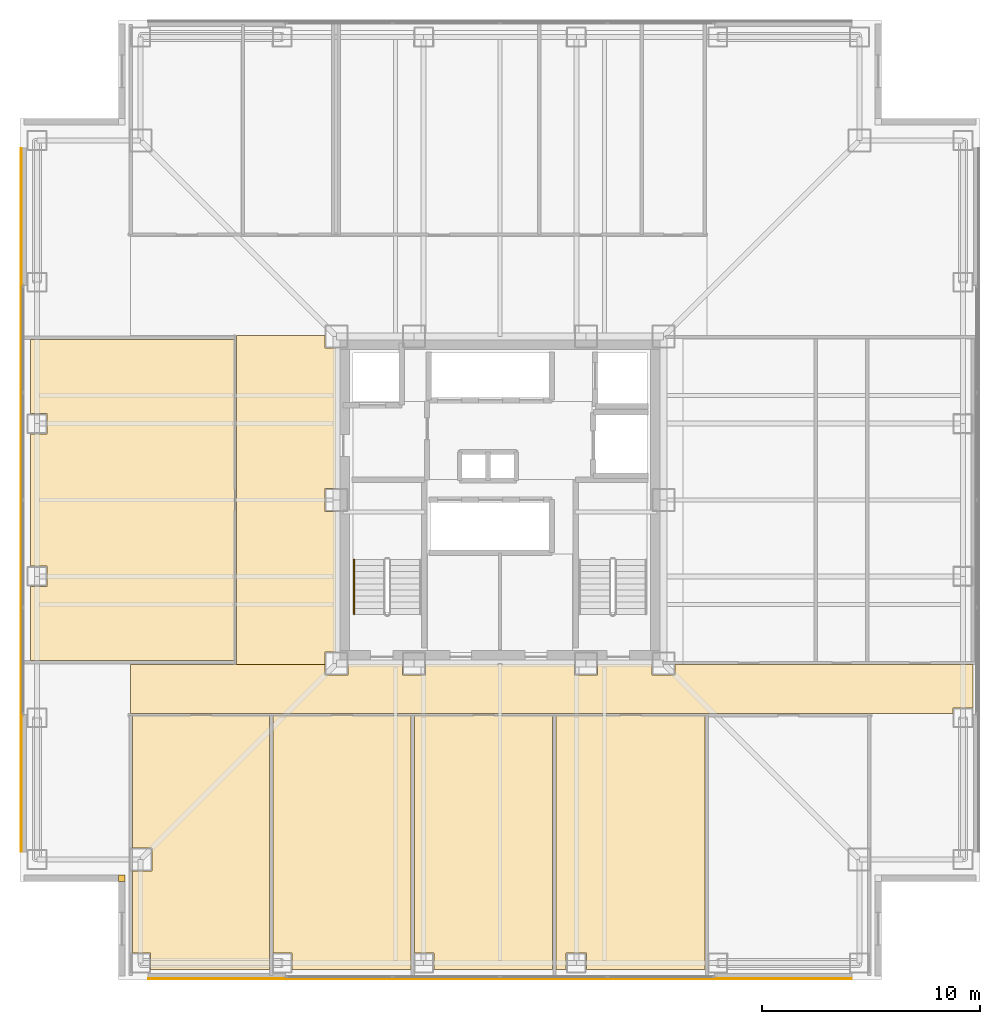
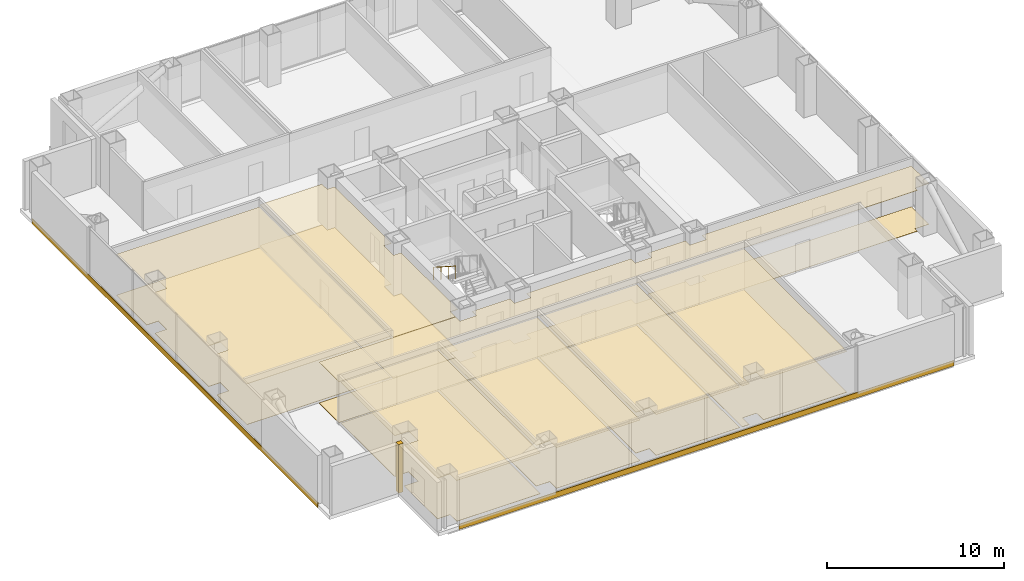
# One storey, part 11 of 13: 17 coverings, 1 railing.
"""IFC4 building model written with IfcOpenShell, lengths in metres."""

from ifc_helpers import new_model, si_unit, direction, frame, frame_2d, origin, origin_2d, place, context, subcontext, project, spatial, polyline, rectangle, circle, outline, extrude, material, layer, layer_set, type_object, element, save


model = new_model("IFC4")

# Units and contexts
model_context = context("Model", 3, precision=1e-05, world=origin(), true_north=direction((0.0, 1.0)))
body_context = subcontext(model_context, "Body", "Model", "MODEL_VIEW")
ifc_project = project(units=[si_unit("LENGTHUNIT", "METRE"), si_unit("AREAUNIT", "SQUARE_METRE"), si_unit("VOLUMEUNIT", "CUBIC_METRE"), si_unit("PLANEANGLEUNIT", "RADIAN"), si_unit("MASSUNIT", "GRAM", prefix="KILO")], contexts=[model_context])

# Site, building, storey
site_placement = place(None, origin())
site = spatial("IfcSite", under=ifc_project, at=site_placement, CompositionType="ELEMENT")
building_placement = place(site_placement, origin())
building = spatial("IfcBuilding", under=site, at=building_placement, Name="Trevonay Congress Spire", CompositionType="ELEMENT")
storey_placement = place(building_placement, frame((0.0, 0.0, 112.0)))
storey = spatial("IfcBuildingStorey", under=building, at=storey_placement, Name="L28", CompositionType="ELEMENT", Elevation=112.0)

# Coverings
ifc_material_1 = material(Name="Acoustic Mineral Fibre Board", Category="gypsum")
ifc_layer_1 = layer(ifc_material_1, 0.02490234375, Name="Acoustic Mineral Fibre Board")
ifc_layer_set_1 = layer_set([ifc_layer_1], Name="Acoustic Mineral Fibre Board")
covering_type_1 = type_object("IfcCoveringType", Name="COV-CEIL-ACOUSTIC", PredefinedType="CEILING", material=ifc_layer_set_1)
covering_1_placement = place(storey_placement, frame((0.0, 0.0, 2.81005859375)))
element("IfcCovering", 1, at=covering_1_placement, inside=storey, type_object=covering_type_1, Name="L28 Congress South Spine Corridor acoustic suspended ceiling", PredefinedType="CEILING", context=body_context, shape_type="SweptSolid", body=[
    extrude(outline(polyline([(-16.949951171875, -9.800048828125), (-16.949951171875, -7.550048828125), (-8.034912109375, -7.550048828125), (-8.034912109375, -8.034912109375), (-6.965087890625, -8.034912109375), (-6.965087890625, -7.550048828125), (-4.485107421875, -7.550048828125), (-4.485107421875, -8.034912109375), (-3.4150390625, -8.034912109375), (-3.4150390625, -7.550048828125), (3.4150390625, -7.550048828125), (3.4150390625, -8.034912109375), (4.485107421875, -8.034912109375), (4.485107421875, -7.550048828125), (6.965087890625, -7.550048828125), (6.965087890625, -8.034912109375), (8.034912109375, -8.034912109375), (8.034912109375, -7.550048828125), (21.699951171875, -7.550048828125), (21.699951171875, -9.5400390625), (20.7900390625, -9.5400390625), (20.7900390625, -9.800048828125), (-16.949951171875, -9.800048828125)])), origin(), (0.0, 0.0, 1.0), 0.02490234375),
])
covering_2_placement = place(storey_placement, frame((0.0, 0.0, 2.81005859375)))
element("IfcCovering", 2, at=covering_2_placement, inside=storey, type_object=covering_type_1, Name="L28 West Sky Promenade Salon acoustic suspended ceiling", PredefinedType="CEILING", context=body_context, shape_type="SweptSolid", body=[
    extrude(outline(polyline([(-12.10009765625, 7.550048828125), (-8.034912109375, 7.550048828125), (-8.034912109375, 6.965087890625), (-7.550048828125, 6.965087890625), (-7.550048828125, 0.534912109375), (-8.034912109375, 0.534912109375), (-8.034912109375, -0.534912109375), (-7.550048828125, -0.534912109375), (-7.550048828125, -6.965087890625), (-8.034912109375, -6.965087890625), (-8.034912109375, -7.5400390625), (-12.10009765625, -7.5400390625), (-12.10009765625, 7.550048828125)])), origin(), (0.0, 0.0, 1.0), 0.02490234375),
])
covering_3_placement = place(storey_placement, frame((0.0, 0.0, 2.81005859375)))
element("IfcCovering", 3, at=covering_3_placement, inside=storey, type_object=covering_type_1, Name="L28 Economic Secretariat Office 1 acoustic suspended ceiling", PredefinedType="CEILING", context=body_context, shape_type="SweptSolid", body=[
    extrude(outline(polyline([(-16.8701171875, -9.8798828125), (-10.580078125, -9.8798828125), (-10.580078125, -21.550048828125), (-16.0400390625, -21.550048828125), (-16.0400390625, -20.7900390625), (-16.8701171875, -20.7900390625), (-16.8701171875, -17.034912109375), (-15.965087890625, -17.034912109375), (-15.965087890625, -15.965087890625), (-16.8701171875, -15.965087890625), (-16.8701171875, -9.8798828125)])), origin(), (0.0, 0.0, 1.0), 0.02490234375),
])
covering_4_placement = place(storey_placement, frame((0.0, 0.0, 2.81005859375)))
element("IfcCovering", 4, at=covering_4_placement, inside=storey, type_object=covering_type_1, Name="L28 Economic Secretariat Office 2 acoustic suspended ceiling", PredefinedType="CEILING", context=body_context, shape_type="SweptSolid", body=[
    extrude(outline(polyline([(-10.419921875, -9.8798828125), (-4.080078125, -9.8798828125), (-4.080078125, -21.550048828125), (-9.5400390625, -21.550048828125), (-9.5400390625, -20.7900390625), (-10.419921875, -20.7900390625), (-10.419921875, -9.8798828125)])), origin(), (0.0, 0.0, 1.0), 0.02490234375),
])
covering_5_placement = place(storey_placement, frame((0.0, 0.0, 2.81005859375)))
element("IfcCovering", 5, at=covering_5_placement, inside=storey, type_object=covering_type_1, Name="L28 Legal Counsel Office 3 acoustic suspended ceiling", PredefinedType="CEILING", context=body_context, shape_type="SweptSolid", body=[
    extrude(outline(polyline([(-3.919921875, -9.8798828125), (2.419921875, -9.8798828125), (2.419921875, -21.550048828125), (-3.0400390625, -21.550048828125), (-3.0400390625, -20.7900390625), (-3.919921875, -20.7900390625), (-3.919921875, -9.8798828125)])), origin(), (0.0, 0.0, 1.0), 0.02490234375),
])
covering_6_placement = place(storey_placement, frame((0.0, 0.0, 2.81005859375)))
element("IfcCovering", 6, at=covering_6_placement, inside=storey, type_object=covering_type_1, Name="L28 Statistical Analysis Office 4 acoustic suspended ceiling", PredefinedType="CEILING", context=body_context, shape_type="SweptSolid", body=[
    extrude(outline(polyline([(2.580078125, -21.550048828125), (2.580078125, -9.8798828125), (9.419921875, -9.8798828125), (9.419921875, -21.550048828125), (3.9599609375, -21.550048828125), (3.9599609375, -20.7900390625), (3.0400390625, -20.7900390625), (3.0400390625, -21.550048828125), (2.580078125, -21.550048828125)])), origin(), (0.0, 0.0, 1.0), 0.02490234375),
])
covering_7_placement = place(storey_placement, frame((0.0, 0.0, 2.81005859375)))
element("IfcCovering", 7, at=covering_7_placement, inside=storey, type_object=covering_type_1, Name="L28 West Open-Plan Research Office acoustic suspended ceiling", PredefinedType="CEILING", context=body_context, shape_type="SweptSolid", body=[
    extrude(outline(polyline([(-21.550048828125, 7.3701171875), (-12.179931640625, 7.3701171875), (-12.179931640625, -7.3701171875), (-21.550048828125, -7.3701171875), (-21.550048828125, -3.9599609375), (-20.7900390625, -3.9599609375), (-20.7900390625, -3.0400390625), (-21.550048828125, -3.0400390625), (-21.550048828125, 3.0400390625), (-20.7900390625, 3.0400390625), (-20.7900390625, 3.9599609375), (-21.550048828125, 3.9599609375), (-21.550048828125, 7.3701171875)])), origin(), (0.0, 0.0, 1.0), 0.02490234375),
])
ifc_material_2 = material(Name="Polished Granite Floor Tile", Category="masonry")
ifc_layer_2 = layer(ifc_material_2, 0.02001953125, Name="Polished Granite Floor Tile")
ifc_layer_set_2 = layer_set([ifc_layer_2], Name="Polished Granite Floor Tile")
covering_type_2 = type_object("IfcCoveringType", Name="COV-FLOOR-STONE", PredefinedType="FLOORING", material=ifc_layer_set_2)
covering_8_placement = place(storey_placement, origin())
element("IfcCovering", 8, at=covering_8_placement, inside=storey, type_object=covering_type_2, Name="L28 Congress South Spine Corridor floor finish", PredefinedType="FLOORING", context=body_context, shape_type="SweptSolid", body=[
    extrude(outline(polyline([(-16.949951171875, -9.800048828125), (-16.949951171875, -7.550048828125), (-8.034912109375, -7.550048828125), (-8.034912109375, -8.034912109375), (-6.965087890625, -8.034912109375), (-6.965087890625, -7.550048828125), (-4.485107421875, -7.550048828125), (-4.485107421875, -8.034912109375), (-3.4150390625, -8.034912109375), (-3.4150390625, -7.550048828125), (3.4150390625, -7.550048828125), (3.4150390625, -8.034912109375), (4.485107421875, -8.034912109375), (4.485107421875, -7.550048828125), (6.965087890625, -7.550048828125), (6.965087890625, -8.034912109375), (8.034912109375, -8.034912109375), (8.034912109375, -7.550048828125), (21.699951171875, -7.550048828125), (21.699951171875, -9.5400390625), (20.7900390625, -9.5400390625), (20.7900390625, -9.800048828125), (-16.949951171875, -9.800048828125)])), origin(), (0.0, 0.0, 1.0), 0.02001953125),
])
ifc_material_3 = material(Name="Engineered Oak Flooring", Category="wood")
ifc_layer_3 = layer(ifc_material_3, 0.01806640625, Name="Engineered Oak Flooring")
ifc_layer_set_3 = layer_set([ifc_layer_3], Name="Engineered Oak Flooring")
covering_type_3 = type_object("IfcCoveringType", Name="COV-FLOOR-TIMBER", PredefinedType="FLOORING", material=ifc_layer_set_3)
covering_9_placement = place(storey_placement, origin())
element("IfcCovering", 9, at=covering_9_placement, inside=storey, type_object=covering_type_3, Name="L28 West Sky Promenade Salon floor finish", PredefinedType="FLOORING", context=body_context, shape_type="SweptSolid", body=[
    extrude(outline(polyline([(-12.10009765625, 7.550048828125), (-8.034912109375, 7.550048828125), (-8.034912109375, 6.965087890625), (-7.550048828125, 6.965087890625), (-7.550048828125, 0.534912109375), (-8.034912109375, 0.534912109375), (-8.034912109375, -0.534912109375), (-7.550048828125, -0.534912109375), (-7.550048828125, -6.965087890625), (-8.034912109375, -6.965087890625), (-8.034912109375, -7.5400390625), (-12.10009765625, -7.5400390625), (-12.10009765625, 7.550048828125)])), origin(), (0.0, 0.0, 1.0), 0.01806640625),
])
covering_10_placement = place(storey_placement, origin())
element("IfcCovering", 10, at=covering_10_placement, inside=storey, type_object=covering_type_3, Name="L28 Economic Secretariat Office 1 floor finish", PredefinedType="FLOORING", context=body_context, shape_type="SweptSolid", body=[
    extrude(outline(polyline([(-16.8701171875, -9.8798828125), (-10.580078125, -9.8798828125), (-10.580078125, -21.550048828125), (-16.0400390625, -21.550048828125), (-16.0400390625, -20.7900390625), (-16.8701171875, -20.7900390625), (-16.8701171875, -17.034912109375), (-15.965087890625, -17.034912109375), (-15.965087890625, -15.965087890625), (-16.8701171875, -15.965087890625), (-16.8701171875, -9.8798828125)])), origin(), (0.0, 0.0, 1.0), 0.01806640625),
])
covering_11_placement = place(storey_placement, origin())
element("IfcCovering", 11, at=covering_11_placement, inside=storey, type_object=covering_type_3, Name="L28 Economic Secretariat Office 2 floor finish", PredefinedType="FLOORING", context=body_context, shape_type="SweptSolid", body=[
    extrude(outline(polyline([(-10.419921875, -9.8798828125), (-4.080078125, -9.8798828125), (-4.080078125, -21.550048828125), (-9.5400390625, -21.550048828125), (-9.5400390625, -20.7900390625), (-10.419921875, -20.7900390625), (-10.419921875, -9.8798828125)])), origin(), (0.0, 0.0, 1.0), 0.01806640625),
])
covering_12_placement = place(storey_placement, origin())
element("IfcCovering", 12, at=covering_12_placement, inside=storey, type_object=covering_type_3, Name="L28 Legal Counsel Office 3 floor finish", PredefinedType="FLOORING", context=body_context, shape_type="SweptSolid", body=[
    extrude(outline(polyline([(-3.919921875, -9.8798828125), (2.419921875, -9.8798828125), (2.419921875, -21.550048828125), (-3.0400390625, -21.550048828125), (-3.0400390625, -20.7900390625), (-3.919921875, -20.7900390625), (-3.919921875, -9.8798828125)])), origin(), (0.0, 0.0, 1.0), 0.01806640625),
])
covering_13_placement = place(storey_placement, origin())
element("IfcCovering", 13, at=covering_13_placement, inside=storey, type_object=covering_type_3, Name="L28 Statistical Analysis Office 4 floor finish", PredefinedType="FLOORING", context=body_context, shape_type="SweptSolid", body=[
    extrude(outline(polyline([(2.580078125, -21.550048828125), (2.580078125, -9.8798828125), (9.419921875, -9.8798828125), (9.419921875, -21.550048828125), (3.9599609375, -21.550048828125), (3.9599609375, -20.7900390625), (3.0400390625, -20.7900390625), (3.0400390625, -21.550048828125), (2.580078125, -21.550048828125)])), origin(), (0.0, 0.0, 1.0), 0.01806640625),
])
covering_14_placement = place(storey_placement, origin())
element("IfcCovering", 14, at=covering_14_placement, inside=storey, type_object=covering_type_3, Name="L28 West Open-Plan Research Office floor finish", PredefinedType="FLOORING", context=body_context, shape_type="SweptSolid", body=[
    extrude(outline(polyline([(-21.550048828125, 7.3701171875), (-12.179931640625, 7.3701171875), (-12.179931640625, -7.3701171875), (-21.550048828125, -7.3701171875), (-21.550048828125, -3.9599609375), (-20.7900390625, -3.9599609375), (-20.7900390625, -3.0400390625), (-21.550048828125, -3.0400390625), (-21.550048828125, 3.0400390625), (-20.7900390625, 3.0400390625), (-20.7900390625, 3.9599609375), (-21.550048828125, 3.9599609375), (-21.550048828125, 7.3701171875)])), origin(), (0.0, 0.0, 1.0), 0.01806640625),
])
ifc_material_4 = material(Name="Pale Anodised Aluminium EN AW-6063-T6", Category="aluminium")
ifc_layer_4 = layer(ifc_material_4, 0.0400390625, Name="Pale Anodised Aluminium EN AW-6063-T6")
ifc_layer_set_4 = layer_set([ifc_layer_4], Name="Pale Anodised Aluminium EN AW-6063-T6")
covering_type_4 = type_object("IfcCoveringType", Name="COV-SPANDREL-PALE-METAL", PredefinedType="CLADDING", material=ifc_layer_set_4)
for number, where, z_axis, x_axis, name in (
    (15, (-16.14990234375, -21.97998046875, -0.239990234375), (0.0, 0.0, 1.0), (1.0, 0.0, 0.0), "L28 S pale-metal slab-edge spandrel cladding"),
    (16, (-21.97998046875, -16.14990234375, -0.239990234375), (0.0, 0.0, 1.0), (0.0, 1.0, 0.0), "L28 W pale-metal slab-edge spandrel cladding"),
):
    element("IfcCovering", number, at=place(storey_placement, frame(where, z_axis=z_axis, x_axis=x_axis)), inside=storey, type_object=covering_type_4, Name=name, PredefinedType="CLADDING", context=body_context, shape_type="SweptSolid", body=[
        extrude(rectangle(XDim=32.2998046875, YDim=0.0400390625, at=frame_2d((16.14990234375, 0.0))), origin(), (0.0, 0.0, 1.0), 0.360107421875),
    ])
covering_15_placement = place(storey_placement, origin())
element("IfcCovering", 17, at=covering_15_placement, inside=storey, type_object=covering_type_4, Name="L28 SW re-entrant notch corner closure trim", PredefinedType="CLADDING", context=body_context, shape_type="SweptSolid", body=[
    extrude(outline(polyline([(-17.5, -17.5), (-17.199951171875, -17.5), (-17.199951171875, -17.199951171875), (-17.5, -17.199951171875), (-17.5, -17.5)])), origin(), (0.0, 0.0, 1.0), 3.360107421875),
])

# Railing
railing_type = type_object("IfcRailingType", Name="RAL-STAIR-HANDRAIL", PredefinedType="HANDRAIL", material=ifc_material_4)
railing_placement = place(storey_placement, frame((-6.699951171875, -2.72998046875, 1.97998046875)))
element("IfcRailing", 18, at=railing_placement, inside=storey, type_object=railing_type, Name="L28 ST-1 stair handrail 2", PredefinedType="HANDRAIL", context=body_context, shape_type="SweptSolid", body=[
    extrude(circle(Radius=0.02392578125, at=origin_2d()), frame((0.0, 0.0, 0.8759765625), z_axis=(0.0, -0.841162588446, 0.540782303519), x_axis=(1.0, 0.0, 0.0)), (0.0, 0.0, 1.0), 2.995849609375),
    extrude(circle(Radius=0.02099609375, at=origin_2d()), origin(), (0.0, 0.0, 1.0), 0.851806640625),
    extrude(circle(Radius=0.02099609375, at=origin_2d()), frame((0.0, -0.840087890625, 0.5400390625)), (0.0, 0.0, 1.0), 0.851806640625),
    extrude(circle(Radius=0.02099609375, at=origin_2d()), frame((0.0, -1.679931640625, 1.080078125)), (0.0, 0.0, 1.0), 0.851806640625),
    extrude(circle(Radius=0.02099609375, at=origin_2d()), frame((0.0, -2.52001953125, 1.6201171875)), (0.0, 0.0, 1.0), 0.851806640625),
])

save(model, "model.ifc")
